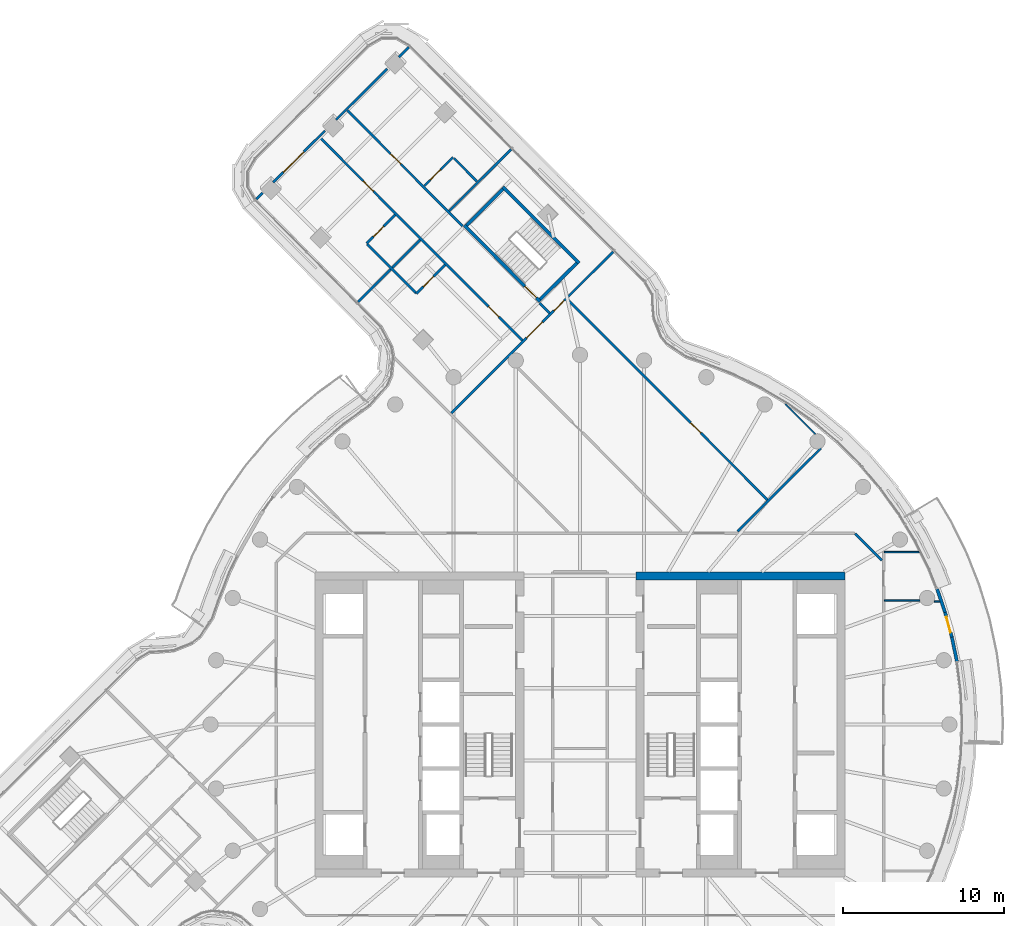
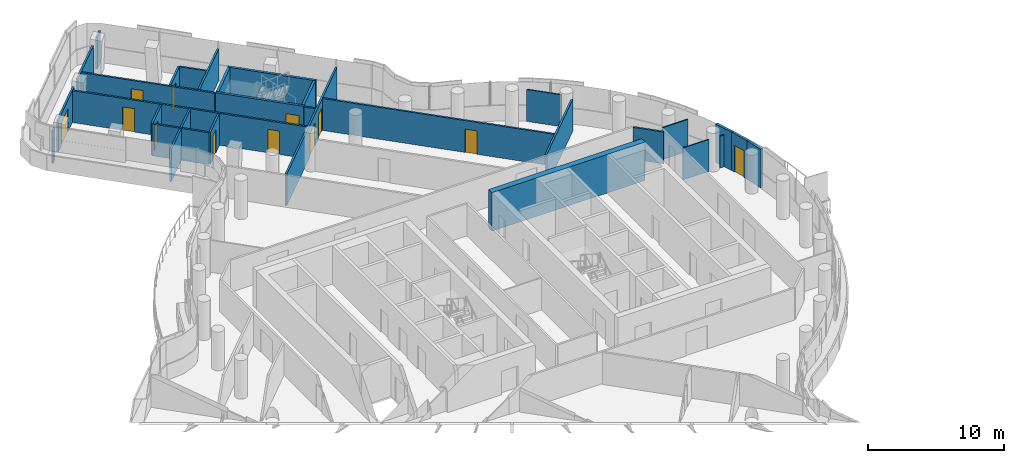
# One storey, part 22 of 31: 30 walls, 12 doors, 12 openings.
"""IFC4 building model written with IfcOpenShell, lengths in metres."""

from ifc_helpers import new_model, si_unit, direction, frame, frame_2d, origin, place, context, subcontext, project, spatial, polyline, rectangle, outline, extrude, material, layer, layer_set, type_object, element, fill, save


model = new_model("IFC4")

# Units and contexts
model_context = context("Model", 3, precision=1e-05, world=origin(), true_north=direction((0.0, 1.0)))
body_context = subcontext(model_context, "Body", "Model", "MODEL_VIEW")
ifc_project = project(units=[si_unit("LENGTHUNIT", "METRE"), si_unit("AREAUNIT", "SQUARE_METRE"), si_unit("VOLUMEUNIT", "CUBIC_METRE"), si_unit("PLANEANGLEUNIT", "RADIAN"), si_unit("MASSUNIT", "GRAM", prefix="KILO")], contexts=[model_context])

# Site, building, storey
site_placement = place(None, origin())
site = spatial("IfcSite", under=ifc_project, at=site_placement, CompositionType="ELEMENT")
building_placement = place(site_placement, origin())
building = spatial("IfcBuilding", under=site, at=building_placement, Name="Tamarind Cross Interchange Tower", CompositionType="ELEMENT")
storey_placement = place(building_placement, frame((0.0, 0.0, 196.89990234375)))
storey = spatial("IfcBuildingStorey", under=building, at=storey_placement, Name="L49", CompositionType="ELEMENT", Elevation=196.89990234375)

# Walls
ifc_material_1 = material(Name="Concrete C40", Category="concrete")
ifc_layer_1 = layer(ifc_material_1, 0.199951171875)
ifc_layer_set_1 = layer_set([ifc_layer_1], Name="Concrete C40")
wall_type_1 = type_object("IfcWallType", Name="Balcony and garden door wall", PredefinedType="SOLIDWALL", material=ifc_layer_set_1)
wall_1_placement = place(storey_placement, frame((23.46728515625, 3.916748046875, 0.0), z_axis=(0.0, 0.0, 1.0), x_axis=(-0.204105774146, 0.978948840829, 0.0)))
element("IfcWall", 1, at=wall_1_placement, inside=storey, type_object=wall_type_1, Name="EXW-L49-02-D07L", PredefinedType="SOLIDWALL", context=body_context, shape_type="SweptSolid", body=[
    extrude(rectangle(XDim=1.544189453125, YDim=0.199951171875, at=frame_2d((0.77197265625, 0.0))), origin(), (0.0, 0.0, 1.0), 3.460205078125),
])
wall_2_placement = place(storey_placement, frame((22.730712890625, 6.970703125, 0.0), z_axis=(0.0, 0.0, 1.0), x_axis=(-0.322722243026, 0.946493715698, 0.0)))
element("IfcWall", 2, at=wall_2_placement, inside=storey, type_object=wall_type_1, Name="EXW-L49-02-D07R", PredefinedType="SOLIDWALL", context=body_context, shape_type="SweptSolid", body=[
    extrude(rectangle(XDim=1.543212890625, YDim=0.199951171875, at=frame_2d((0.771484375, 0.0))), origin(), (0.0, 0.0, 1.0), 3.460205078125),
])

# Wall, opening, door
wall_3_placement = place(storey_placement, frame((23.152099609375, 5.428466796875, 0.0), z_axis=(0.0, 0.0, 1.0), x_axis=(-0.26356961997, 0.964640376217, 0.0)))
wall_3 = element("IfcWall", 3, at=wall_3_placement, inside=storey, type_object=wall_type_1, Name="EXW-L49-02-D07", PredefinedType="SOLIDWALL", context=body_context, shape_type="SweptSolid", body=[
    extrude(rectangle(XDim=1.598876953125, YDim=0.199951171875, at=frame_2d((0.79931640625, 0.0))), origin(), (0.0, 0.0, 1.0), 3.460205078125),
])
opening_1_placement = place(wall_3_placement, frame((0.29931640625, 0.0, 0.0)))
opening_1 = element("IfcOpeningElement", 4, at=opening_1_placement, cuts=wall_3, Name="Opening D2", PredefinedType="OPENING", context=body_context, shape_type="SweptSolid", body=[
    extrude(rectangle(XDim=1.0, YDim=2.39990234375, at=frame_2d((0.5, 1.199951171875))), frame((0.0, 0.10986328125, 0.0), z_axis=(0.0, -1.0, 0.0), x_axis=(1.0, 0.0, 0.0)), (0.0, 0.0, 1.0), 0.219970703125),
])
ifc_material_2 = material(Name="Aluminium and toughened glass", Category="aluminium")
door_type_1 = type_object("IfcDoorType", Name="Balcony and garden door", OperationType="SINGLE_SWING_LEFT", PredefinedType="DOOR", material=ifc_material_2)
door_1_placement = place(opening_1_placement, origin())
door_1 = element("IfcDoor", 5, at=door_1_placement, inside=storey, type_object=door_type_1, Name="DOR-L49-02-07", OperationType="SINGLE_SWING_LEFT", OverallHeight=2.39990234375, OverallWidth=1.0, PredefinedType="DOOR", context=body_context, shape_type="SweptSolid", body=[
    extrude(rectangle(XDim=1.0, YDim=2.39990234375, at=frame_2d((0.5, 1.199951171875))), frame((0.0, 0.02490234375, 0.0), z_axis=(0.0, -1.0, 0.0), x_axis=(1.0, 0.0, 0.0)), (0.0, 0.0, 1.0), 0.050048828125),
])
fill(opening_1, door_1)

# Walls
ifc_material_3 = material(Name="Concrete C55", Category="concrete")
ifc_layer_2 = layer(ifc_material_3, 0.5)
ifc_layer_set_2 = layer_set([ifc_layer_2], Name="Concrete C55")
wall_type_2 = type_object("IfcWallType", Name="Core wall 500 mm Concrete C55", PredefinedType="SHEAR", material=ifc_layer_set_2)
wall_4_placement = place(storey_placement, frame((16.5, 9.25, 0.0), z_axis=(0.0, 0.0, 1.0), x_axis=(-1.0, 0.0, 0.0)))
element("IfcWall", 6, at=wall_4_placement, inside=storey, type_object=wall_type_2, Name="Core wall CWL-L49-E-NE", PredefinedType="SHEAR", context=body_context, shape_type="SweptSolid", body=[
    extrude(rectangle(XDim=13.0, YDim=0.5, at=frame_2d((6.5, 0.0))), origin(), (0.0, 0.0, 1.0), 3.460205078125),
])
ifc_material_4 = material(Name="Gypsum board partition on steel studs", Category="steel")
ifc_layer_3 = layer(ifc_material_4, 0.10009765625)
ifc_layer_set_3 = layer_set([ifc_layer_3], Name="Gypsum board partition on steel studs")
wall_type_3 = type_object("IfcWallType", Name="Partition 100 mm EI 90", PredefinedType="PARTITIONING", material=ifc_layer_set_3)
wall_5_placement = place(storey_placement, frame((12.78125, 19.94775390625, 0.0), z_axis=(0.0, 0.0, 1.0), x_axis=(0.706232077359, -0.707980404326, 0.0)))
element("IfcWall", 7, at=wall_5_placement, inside=storey, type_object=wall_type_3, Name="Partition L49-032", PredefinedType="PARTITIONING", context=body_context, shape_type="SweptSolid", body=[
    extrude(rectangle(XDim=2.6533203125, YDim=0.10009765625, at=frame_2d((1.32666015625, 0.0))), origin(), (0.0, 0.0, 1.0), 2.864013671875),
])
wall_6_placement = place(storey_placement, frame((18.955078125, 7.719970703125, 0.0), z_axis=(0.0, 0.0, 1.0), x_axis=(1.0, 0.0, 0.0)))
element("IfcWall", 8, at=wall_6_placement, inside=storey, type_object=wall_type_3, Name="Partition L49-040", PredefinedType="PARTITIONING", context=body_context, shape_type="SweptSolid", body=[
    extrude(rectangle(XDim=2.212158203125, YDim=0.10009765625, at=frame_2d((1.10595703125, 0.0))), origin(), (0.0, 0.0, 1.0), 2.864013671875),
])
wall_7_placement = place(storey_placement, frame((22.05859375, 7.659912109375, 0.0), z_axis=(0.0, 0.0, 1.0), x_axis=(1.0, 0.0, 0.0)))
element("IfcWall", 9, at=wall_7_placement, inside=storey, type_object=wall_type_3, Name="Partition L49-041", PredefinedType="PARTITIONING", context=body_context, shape_type="SweptSolid", body=[
    extrude(rectangle(XDim=0.340087890625, YDim=0.10009765625, at=frame_2d((0.169921875, 0.0))), origin(), (0.0, 0.0, 1.0), 2.864013671875),
])
wall_8_placement = place(storey_placement, frame((18.955078125, 10.719970703125, 0.0), z_axis=(0.0, 0.0, 1.0), x_axis=(1.0, 0.0, 0.0)))
element("IfcWall", 10, at=wall_8_placement, inside=storey, type_object=wall_type_3, Name="Partition L49-042", PredefinedType="PARTITIONING", context=body_context, shape_type="SweptSolid", body=[
    extrude(rectangle(XDim=2.155029296875, YDim=0.10009765625, at=frame_2d((1.07763671875, 0.0))), origin(), (0.0, 0.0, 1.0), 2.864013671875),
])

# Wall, openings, doors
ifc_layer_4 = layer(ifc_material_4, 0.14990234375)
ifc_layer_set_4 = layer_set([ifc_layer_4], Name="Gypsum board partition on steel studs")
wall_type_4 = type_object("IfcWallType", Name="Partition 150 mm EI 120", PredefinedType="PARTITIONING", material=ifc_layer_set_4)
wall_9_placement = place(storey_placement, frame((-16.1884765625, 36.530517578125, 0.0), z_axis=(0.0, 0.0, 1.0), x_axis=(0.706223553461, -0.707988907071, 0.0)))
wall_9 = element("IfcWall", 11, at=wall_9_placement, inside=storey, type_object=wall_type_4, Name="Partition L49-013", PredefinedType="PARTITIONING", context=body_context, shape_type="SweptSolid", body=[
    extrude(rectangle(XDim=17.840087890625, YDim=0.14990234375, at=frame_2d((8.919921875, 0.0))), origin(), (0.0, 0.0, 1.0), 2.864013671875),
])
opening_2_placement = place(wall_9_placement, frame((14.869873046875, 0.0, 0.0)))
opening_2 = element("IfcOpeningElement", 12, at=opening_2_placement, cuts=wall_9, Name="Opening D06", PredefinedType="OPENING", context=body_context, shape_type="SweptSolid", body=[
    extrude(rectangle(XDim=0.89990234375, YDim=2.10009765625, at=frame_2d((0.449951171875, 1.050048828125))), frame((0.0, 0.0849609375, 0.0), z_axis=(0.0, -1.0, 0.0), x_axis=(1.0, 0.0, 0.0)), (0.0, 0.0, 1.0), 0.169921875),
])
opening_3_placement = place(wall_9_placement, frame((3.820068359375, 0.0, 0.0)))
opening_3 = element("IfcOpeningElement", 13, at=opening_3_placement, cuts=wall_9, Name="Opening D07", PredefinedType="OPENING", context=body_context, shape_type="SweptSolid", body=[
    extrude(rectangle(XDim=0.89990234375, YDim=2.10009765625, at=frame_2d((0.449951171875, 1.050048828125))), frame((0.0, 0.0849609375, 0.0), z_axis=(0.0, -1.0, 0.0), x_axis=(1.0, 0.0, 0.0)), (0.0, 0.0, 1.0), 0.169921875),
])
ifc_material_5 = material(Name="Fire-resisting door set")
door_type_2 = type_object("IfcDoorType", Name="Interior door 900 x 2100 FD60S", OperationType="SINGLE_SWING_LEFT", PredefinedType="DOOR", material=ifc_material_5)
door_2_placement = place(opening_2_placement, frame((0.89990234375, 0.0, 0.0), z_axis=(0.0, 0.0, 1.0), x_axis=(-1.0, 0.0, 0.0)))
door_2 = element("IfcDoor", 14, at=door_2_placement, inside=storey, type_object=door_type_2, Name="Door D06", OperationType="SINGLE_SWING_RIGHT", OverallHeight=2.10009765625, OverallWidth=0.89990234375, PredefinedType="DOOR", context=body_context, shape_type="SweptSolid", body=[
    extrude(rectangle(XDim=0.89990234375, YDim=2.10009765625, at=frame_2d((0.449951171875, 1.050048828125))), frame((0.0, 0.02490234375, 0.0), z_axis=(0.0, -1.0, 0.0), x_axis=(1.0, 0.0, 0.0)), (0.0, 0.0, 1.0), 0.050048828125),
])
fill(opening_2, door_2)
door_3_placement = place(opening_3_placement, frame((0.89990234375, 0.0, 0.0), z_axis=(0.0, 0.0, 1.0), x_axis=(-1.0, 0.0, 0.0)))
door_3 = element("IfcDoor", 15, at=door_3_placement, inside=storey, type_object=door_type_2, Name="Door D07", OperationType="SINGLE_SWING_LEFT", OverallHeight=2.10009765625, OverallWidth=0.89990234375, PredefinedType="DOOR", context=body_context, shape_type="SweptSolid", body=[
    extrude(rectangle(XDim=0.89990234375, YDim=2.10009765625, at=frame_2d((0.449951171875, 1.050048828125))), frame((0.0, 0.02490234375, 0.0), z_axis=(0.0, -1.0, 0.0), x_axis=(1.0, 0.0, 0.0)), (0.0, 0.0, 1.0), 0.050048828125),
])
fill(opening_3, door_3)

# Wall, opening, door
wall_10_placement = place(storey_placement, frame((-14.488525390625, 38.225341796875, 0.0), z_axis=(0.0, 0.0, 1.0), x_axis=(0.706194850957, -0.708017536846, 0.0)))
wall_10 = element("IfcWall", 16, at=wall_10_placement, inside=storey, type_object=wall_type_4, Name="Partition L49-015", PredefinedType="PARTITIONING", context=body_context, shape_type="SweptSolid", body=[
    extrude(rectangle(XDim=10.179931640625, YDim=0.14990234375, at=frame_2d((5.08984375, 0.0))), origin(), (0.0, 0.0, 1.0), 2.864013671875),
])
opening_4_placement = place(wall_10_placement, frame((3.820068359375, 0.0, 0.0)))
opening_4 = element("IfcOpeningElement", 17, at=opening_4_placement, cuts=wall_10, Name="Opening D08", PredefinedType="OPENING", context=body_context, shape_type="SweptSolid", body=[
    extrude(rectangle(XDim=0.89990234375, YDim=2.10009765625, at=frame_2d((0.449951171875, 1.050048828125))), frame((0.0, 0.0849609375, 0.0), z_axis=(0.0, -1.0, 0.0), x_axis=(1.0, 0.0, 0.0)), (0.0, 0.0, 1.0), 0.169921875),
])
door_4_placement = place(opening_4_placement, origin())
door_4 = element("IfcDoor", 18, at=door_4_placement, inside=storey, type_object=door_type_2, Name="Door D08", OperationType="SINGLE_SWING_RIGHT", OverallHeight=2.10009765625, OverallWidth=0.89990234375, PredefinedType="DOOR", context=body_context, shape_type="SweptSolid", body=[
    extrude(rectangle(XDim=0.89990234375, YDim=2.10009765625, at=frame_2d((0.449951171875, 1.050048828125))), frame((0.0, 0.02490234375, 0.0), z_axis=(0.0, -1.0, 0.0), x_axis=(1.0, 0.0, 0.0)), (0.0, 0.0, 1.0), 0.050048828125),
])
fill(opening_4, door_4)

# Walls
wall_11_placement = place(storey_placement, frame((-2.511962890625, 26.2177734375, 0.0), z_axis=(0.0, 0.0, 1.0), x_axis=(0.706135386727, -0.708076843014, 0.0)))
element("IfcWall", 19, at=wall_11_placement, inside=storey, type_object=wall_type_4, Name="Partition L49-016", PredefinedType="PARTITIONING", context=body_context, shape_type="SweptSolid", body=[
    extrude(rectangle(XDim=0.88037109375, YDim=0.14990234375, at=frame_2d((0.440185546875, 0.0))), origin(), (0.0, 0.0, 1.0), 2.864013671875),
])
wall_12_placement = place(storey_placement, frame((-13.2548828125, 29.90869140625, 0.0), z_axis=(0.0, 0.0, 1.0), x_axis=(0.706004027444, -0.708207817829, 0.0)))
element("IfcWall", 20, at=wall_12_placement, inside=storey, type_object=wall_type_4, Name="Partition L49-017", PredefinedType="PARTITIONING", context=body_context, shape_type="SweptSolid", body=[
    extrude(rectangle(XDim=4.320556640625, YDim=0.14990234375, at=frame_2d((2.16015625, 0.0))), origin(), (0.0, 0.0, 1.0), 2.864013671875),
])
wall_13_placement = place(storey_placement, frame((-7.85009765625, 35.2509765625, 0.0), z_axis=(0.0, 0.0, 1.0), x_axis=(0.706151394172, -0.708060879098, 0.0)))
element("IfcWall", 21, at=wall_13_placement, inside=storey, type_object=wall_type_4, Name="Partition L49-020", PredefinedType="PARTITIONING", context=body_context, shape_type="SweptSolid", body=[
    extrude(rectangle(XDim=2.045654296875, YDim=0.14990234375, at=frame_2d((1.02294921875, 0.0))), origin(), (0.0, 0.0, 1.0), 2.864013671875),
])

# Wall, opening, door
wall_14_placement = place(storey_placement, frame((-0.78662109375, 26.470458984375, 0.0), z_axis=(0.0, 0.0, 1.0), x_axis=(0.706206635575, -0.70800578237, 0.0)))
wall_14 = element("IfcWall", 22, at=wall_14_placement, inside=storey, type_object=wall_type_4, Name="Partition L49-024", PredefinedType="PARTITIONING", context=body_context, shape_type="SweptSolid", body=[
    extrude(rectangle(XDim=17.640625, YDim=0.14990234375, at=frame_2d((8.8203125, 0.0))), origin(), (0.0, 0.0, 1.0), 2.864013671875),
])
opening_5_placement = place(wall_14_placement, frame((10.8701171875, 0.0, 0.0)))
opening_5 = element("IfcOpeningElement", 23, at=opening_5_placement, cuts=wall_14, Name="Opening D12", PredefinedType="OPENING", context=body_context, shape_type="SweptSolid", body=[
    extrude(rectangle(XDim=0.89990234375, YDim=2.10009765625, at=frame_2d((0.449951171875, 1.050048828125))), frame((0.0, 0.0849609375, 0.0), z_axis=(0.0, -1.0, 0.0), x_axis=(1.0, 0.0, 0.0)), (0.0, 0.0, 1.0), 0.169921875),
])
door_5_placement = place(opening_5_placement, origin())
door_5 = element("IfcDoor", 24, at=door_5_placement, inside=storey, type_object=door_type_2, Name="Door D12", OperationType="SINGLE_SWING_LEFT", OverallHeight=2.10009765625, OverallWidth=0.89990234375, PredefinedType="DOOR", context=body_context, shape_type="SweptSolid", body=[
    extrude(rectangle(XDim=0.89990234375, YDim=2.10009765625, at=frame_2d((0.449951171875, 1.050048828125))), frame((0.0, 0.02490234375, 0.0), z_axis=(0.0, -1.0, 0.0), x_axis=(1.0, 0.0, 0.0)), (0.0, 0.0, 1.0), 0.050048828125),
])
fill(opening_5, door_5)

# Walls
wall_15_placement = place(storey_placement, frame((17.12841796875, 11.87158203125, 0.0), z_axis=(0.0, 0.0, 1.0), x_axis=(0.707106781187, -0.707106781187, 0.0)))
element("IfcWall", 25, at=wall_15_placement, inside=storey, type_object=wall_type_4, Name="Partition L49-033", PredefinedType="PARTITIONING", context=body_context, shape_type="SweptSolid", body=[
    extrude(rectangle(XDim=2.350341796875, YDim=0.14990234375, at=frame_2d((1.17529296875, 0.0))), origin(), (0.0, 0.0, 1.0), 2.864013671875),
])
wall_16_placement = place(storey_placement, frame((-20.13818359375, 32.703857421875, 0.0), z_axis=(0.0, 0.0, 1.0), x_axis=(0.708002418843, 0.706210007656, 0.0)))
element("IfcWall", 26, at=wall_16_placement, inside=storey, type_object=wall_type_4, Name="Partition L49-051", PredefinedType="PARTITIONING", context=body_context, shape_type="SweptSolid", body=[
    extrude(rectangle(XDim=0.544921875, YDim=0.14990234375, at=frame_2d((0.2724609375, 0.0))), origin(), (0.0, 0.0, 1.0), 2.864013671875),
])

# Wall, opening, door
wall_17_placement = place(storey_placement, frame((-19.102294921875, 33.7373046875, 0.0), z_axis=(0.0, 0.0, 1.0), x_axis=(0.708071454847, 0.706140789667, 0.0)))
wall_17 = element("IfcWall", 27, at=wall_17_placement, inside=storey, type_object=wall_type_4, Name="Partition L49-052", PredefinedType="PARTITIONING", context=body_context, shape_type="SweptSolid", body=[
    extrude(rectangle(XDim=4.55224609375, YDim=0.14990234375, at=frame_2d((2.276123046875, 0.0))), origin(), (0.0, 0.0, 1.0), 2.864013671875),
])
opening_6_placement = place(wall_17_placement, frame((0.89990234375, 0.0, 0.0)))
opening_6 = element("IfcOpeningElement", 28, at=opening_6_placement, cuts=wall_17, Name="Opening D29", PredefinedType="OPENING", context=body_context, shape_type="SweptSolid", body=[
    extrude(rectangle(XDim=1.800048828125, YDim=2.10009765625, at=frame_2d((0.89990234375, 1.050048828125))), frame((0.0, 0.0849609375, 0.0), z_axis=(0.0, -1.0, 0.0), x_axis=(1.0, 0.0, 0.0)), (0.0, 0.0, 1.0), 0.169921875),
])
door_type_3 = type_object("IfcDoorType", Name="Interior door 1800 x 2100 FD60S", OperationType="DOUBLE_DOOR_SINGLE_SWING", PredefinedType="DOOR", material=ifc_material_5)
door_6_placement = place(opening_6_placement, origin())
door_6 = element("IfcDoor", 29, at=door_6_placement, inside=storey, type_object=door_type_3, Name="Door D29", OperationType="DOUBLE_DOOR_SINGLE_SWING", OverallHeight=2.10009765625, OverallWidth=1.800048828125, PredefinedType="DOOR", context=body_context, shape_type="SweptSolid", body=[
    extrude(rectangle(XDim=1.800048828125, YDim=2.10009765625, at=frame_2d((0.89990234375, 1.050048828125))), frame((0.0, 0.02490234375, 0.0), z_axis=(0.0, -1.0, 0.0), x_axis=(1.0, 0.0, 0.0)), (0.0, 0.0, 1.0), 0.050048828125),
])
fill(opening_6, door_6)

# Walls
wall_18_placement = place(storey_placement, frame((-15.187744140625, 37.641357421875, 0.0), z_axis=(0.0, 0.0, 1.0), x_axis=(0.708002487601, 0.706209938722, 0.0)))
element("IfcWall", 30, at=wall_18_placement, inside=storey, type_object=wall_type_4, Name="Partition L49-053", PredefinedType="PARTITIONING", context=body_context, shape_type="SweptSolid", body=[
    extrude(rectangle(XDim=4.49462890625, YDim=0.14990234375, at=frame_2d((2.247314453125, 0.0))), origin(), (0.0, 0.0, 1.0), 2.864013671875),
])
wall_19_placement = place(storey_placement, frame((-11.2734375, 41.545654296875, 0.0), z_axis=(0.0, 0.0, 1.0), x_axis=(0.70794079657, 0.70627178094, 0.0)))
element("IfcWall", 31, at=wall_19_placement, inside=storey, type_object=wall_type_4, Name="Partition L49-054", PredefinedType="PARTITIONING", context=body_context, shape_type="SweptSolid", body=[
    extrude(rectangle(XDim=0.877685546875, YDim=0.14990234375, at=frame_2d((0.43896484375, 0.0))), origin(), (0.0, 0.0, 1.0), 2.864013671875),
])
wall_20_placement = place(storey_placement, frame((-13.80712890625, 26.306884765625, 0.0), z_axis=(0.0, 0.0, 1.0), x_axis=(0.707979130193, 0.706233354644, 0.0)))
element("IfcWall", 32, at=wall_20_placement, inside=storey, type_object=wall_type_4, Name="Partition L49-058", PredefinedType="PARTITIONING", context=body_context, shape_type="SweptSolid", body=[
    extrude(rectangle(XDim=5.4541015625, YDim=0.14990234375, at=frame_2d((2.72705078125, 0.0))), origin(), (0.0, 0.0, 1.0), 2.864013671875),
])
wall_21_placement = place(storey_placement, frame((-8.133544921875, 31.966796875, 0.0), z_axis=(0.0, 0.0, 1.0), x_axis=(0.707939743305, 0.706272836693, 0.0)))
element("IfcWall", 33, at=wall_21_placement, inside=storey, type_object=wall_type_4, Name="Partition L49-059", PredefinedType="PARTITIONING", context=body_context, shape_type="SweptSolid", body=[
    extrude(rectangle(XDim=5.419189453125, YDim=0.14990234375, at=frame_2d((2.70947265625, 0.0))), origin(), (0.0, 0.0, 1.0), 2.864013671875),
])

# Wall, opening, door
wall_22_placement = place(storey_placement, frame((-13.282958984375, 29.93701171875, 0.0), z_axis=(0.0, 0.0, 1.0), x_axis=(0.707881585892, 0.706331126566, 0.0)))
wall_22 = element("IfcWall", 34, at=wall_22_placement, inside=storey, type_object=wall_type_4, Name="Partition L49-060", PredefinedType="PARTITIONING", context=body_context, shape_type="SweptSolid", body=[
    extrude(rectangle(XDim=2.51953125, YDim=0.14990234375, at=frame_2d((1.259765625, 0.0))), origin(), (0.0, 0.0, 1.0), 2.864013671875),
])
opening_7_placement = place(wall_22_placement, frame((0.60009765625, 0.0, 0.0)))
opening_7 = element("IfcOpeningElement", 35, at=opening_7_placement, cuts=wall_22, Name="Opening D30", PredefinedType="OPENING", context=body_context, shape_type="SweptSolid", body=[
    extrude(rectangle(XDim=0.89990234375, YDim=2.10009765625, at=frame_2d((0.449951171875, 1.050048828125))), frame((0.0, 0.0849609375, 0.0), z_axis=(0.0, -1.0, 0.0), x_axis=(1.0, 0.0, 0.0)), (0.0, 0.0, 1.0), 0.169921875),
])
door_7_placement = place(opening_7_placement, frame((0.89990234375, 0.0, 0.0), z_axis=(0.0, 0.0, 1.0), x_axis=(-1.0, 0.0, 0.0)))
door_7 = element("IfcDoor", 36, at=door_7_placement, inside=storey, type_object=door_type_2, Name="Door D30", OperationType="SINGLE_SWING_LEFT", OverallHeight=2.10009765625, OverallWidth=0.89990234375, PredefinedType="DOOR", context=body_context, shape_type="SweptSolid", body=[
    extrude(rectangle(XDim=0.89990234375, YDim=2.10009765625, at=frame_2d((0.449951171875, 1.050048828125))), frame((0.0, 0.02490234375, 0.0), z_axis=(0.0, -1.0, 0.0), x_axis=(1.0, 0.0, 0.0)), (0.0, 0.0, 1.0), 0.050048828125),
])
fill(opening_7, door_7)

wall_23_placement = place(storey_placement, frame((-9.68701171875, 33.525146484375, 0.0), z_axis=(0.0, 0.0, 1.0), x_axis=(0.707833235302, 0.706379579972, 0.0)))
wall_23 = element("IfcWall", 37, at=wall_23_placement, inside=storey, type_object=wall_type_4, Name="Partition L49-061", PredefinedType="PARTITIONING", context=body_context, shape_type="SweptSolid", body=[
    extrude(rectangle(XDim=2.519287109375, YDim=0.14990234375, at=frame_2d((1.259765625, 0.0))), origin(), (0.0, 0.0, 1.0), 2.864013671875),
])
opening_8_placement = place(wall_23_placement, frame((0.52001953125, 0.0, 0.0)))
opening_8 = element("IfcOpeningElement", 38, at=opening_8_placement, cuts=wall_23, Name="Opening D31", PredefinedType="OPENING", context=body_context, shape_type="SweptSolid", body=[
    extrude(rectangle(XDim=0.89990234375, YDim=2.10009765625, at=frame_2d((0.449951171875, 1.050048828125))), frame((0.0, 0.0849609375, 0.0), z_axis=(0.0, -1.0, 0.0), x_axis=(1.0, 0.0, 0.0)), (0.0, 0.0, 1.0), 0.169921875),
])
door_8_placement = place(opening_8_placement, frame((0.89990234375, 0.0, 0.0), z_axis=(0.0, 0.0, 1.0), x_axis=(-1.0, 0.0, 0.0)))
door_8 = element("IfcDoor", 39, at=door_8_placement, inside=storey, type_object=door_type_2, Name="Door D31", OperationType="SINGLE_SWING_LEFT", OverallHeight=2.10009765625, OverallWidth=0.89990234375, PredefinedType="DOOR", context=body_context, shape_type="SweptSolid", body=[
    extrude(rectangle(XDim=0.89990234375, YDim=2.10009765625, at=frame_2d((0.449951171875, 1.050048828125))), frame((0.0, 0.02490234375, 0.0), z_axis=(0.0, -1.0, 0.0), x_axis=(1.0, 0.0, 0.0)), (0.0, 0.0, 1.0), 0.050048828125),
])
fill(opening_8, door_8)

wall_24_placement = place(storey_placement, frame((-10.176025390625, 26.821044921875, 0.0), z_axis=(0.0, 0.0, 1.0), x_axis=(0.707881161632, 0.706331551756, 0.0)))
wall_24 = element("IfcWall", 40, at=wall_24_placement, inside=storey, type_object=wall_type_4, Name="Partition L49-062", PredefinedType="PARTITIONING", context=body_context, shape_type="SweptSolid", body=[
    extrude(rectangle(XDim=2.520751953125, YDim=0.14990234375, at=frame_2d((1.26025390625, 0.0))), origin(), (0.0, 0.0, 1.0), 2.864013671875),
])
opening_9_placement = place(wall_24_placement, frame((0.60009765625, 0.0, 0.0)))
opening_9 = element("IfcOpeningElement", 41, at=opening_9_placement, cuts=wall_24, Name="Opening D32", PredefinedType="OPENING", context=body_context, shape_type="SweptSolid", body=[
    extrude(rectangle(XDim=0.89990234375, YDim=2.10009765625, at=frame_2d((0.449951171875, 1.050048828125))), frame((0.0, 0.0849609375, 0.0), z_axis=(0.0, -1.0, 0.0), x_axis=(1.0, 0.0, 0.0)), (0.0, 0.0, 1.0), 0.169921875),
])
door_9_placement = place(opening_9_placement, origin())
door_9 = element("IfcDoor", 42, at=door_9_placement, inside=storey, type_object=door_type_2, Name="Door D32", OperationType="SINGLE_SWING_RIGHT", OverallHeight=2.10009765625, OverallWidth=0.89990234375, PredefinedType="DOOR", context=body_context, shape_type="SweptSolid", body=[
    extrude(rectangle(XDim=0.89990234375, YDim=2.10009765625, at=frame_2d((0.449951171875, 1.050048828125))), frame((0.0, 0.02490234375, 0.0), z_axis=(0.0, -1.0, 0.0), x_axis=(1.0, 0.0, 0.0)), (0.0, 0.0, 1.0), 0.050048828125),
])
fill(opening_9, door_9)

# Wall, openings, doors
wall_25_placement = place(storey_placement, frame((-8.00732421875, 19.37939453125, 0.0), z_axis=(0.0, 0.0, 1.0), x_axis=(0.708007635029, 0.706204778192, 0.0)))
wall_25 = element("IfcWall", 43, at=wall_25_placement, inside=storey, type_object=wall_type_4, Name="Partition L49-063", PredefinedType="PARTITIONING", context=body_context, shape_type="SweptSolid", body=[
    extrude(rectangle(XDim=14.218994140625, YDim=0.14990234375, at=frame_2d((7.109375, 0.0))), origin(), (0.0, 0.0, 1.0), 2.864013671875),
])
opening_10_placement = place(wall_25_placement, frame((6.6201171875, 0.0, 0.0)))
opening_10 = element("IfcOpeningElement", 44, at=opening_10_placement, cuts=wall_25, Name="Opening D33", PredefinedType="OPENING", context=body_context, shape_type="SweptSolid", body=[
    extrude(rectangle(XDim=1.39990234375, YDim=2.10009765625, at=frame_2d((0.699951171875, 1.050048828125))), frame((0.0, 0.0849609375, 0.0), z_axis=(0.0, -1.0, 0.0), x_axis=(1.0, 0.0, 0.0)), (0.0, 0.0, 1.0), 0.169921875),
])
opening_11_placement = place(wall_25_placement, frame((9.02001953125, 0.0, 0.0)))
opening_11 = element("IfcOpeningElement", 45, at=opening_11_placement, cuts=wall_25, Name="Opening D34", PredefinedType="OPENING", context=body_context, shape_type="SweptSolid", body=[
    extrude(rectangle(XDim=0.89990234375, YDim=2.10009765625, at=frame_2d((0.449951171875, 1.050048828125))), frame((0.0, 0.0849609375, 0.0), z_axis=(0.0, -1.0, 0.0), x_axis=(1.0, 0.0, 0.0)), (0.0, 0.0, 1.0), 0.169921875),
])
door_type_4 = type_object("IfcDoorType", Name="Interior door 1400 x 2100 FD60S", OperationType="DOUBLE_DOOR_SINGLE_SWING", PredefinedType="DOOR", material=ifc_material_5)
door_10_placement = place(opening_10_placement, frame((1.39990234375, 0.0, 0.0), z_axis=(0.0, 0.0, 1.0), x_axis=(-1.0, 0.0, 0.0)))
door_10 = element("IfcDoor", 46, at=door_10_placement, inside=storey, type_object=door_type_4, Name="Door D33", OperationType="DOUBLE_DOOR_SINGLE_SWING", OverallHeight=2.10009765625, OverallWidth=1.39990234375, PredefinedType="DOOR", context=body_context, shape_type="SweptSolid", body=[
    extrude(rectangle(XDim=1.39990234375, YDim=2.10009765625, at=frame_2d((0.699951171875, 1.050048828125))), frame((0.0, 0.02490234375, 0.0), z_axis=(0.0, -1.0, 0.0), x_axis=(1.0, 0.0, 0.0)), (0.0, 0.0, 1.0), 0.050048828125),
])
fill(opening_10, door_10)
door_11_placement = place(opening_11_placement, origin())
door_11 = element("IfcDoor", 47, at=door_11_placement, inside=storey, type_object=door_type_2, Name="Door D34", OperationType="SINGLE_SWING_LEFT", OverallHeight=2.10009765625, OverallWidth=0.89990234375, PredefinedType="DOOR", context=body_context, shape_type="SweptSolid", body=[
    extrude(rectangle(XDim=0.89990234375, YDim=2.10009765625, at=frame_2d((0.449951171875, 1.050048828125))), frame((0.0, 0.02490234375, 0.0), z_axis=(0.0, -1.0, 0.0), x_axis=(1.0, 0.0, 0.0)), (0.0, 0.0, 1.0), 0.050048828125),
])
fill(opening_11, door_11)

# Wall
wall_26_placement = place(storey_placement, frame((9.807861328125, 12.009521484375, 0.0), z_axis=(0.0, 0.0, 1.0), x_axis=(0.708153372922, 0.706058638088, 0.0)))
element("IfcWall", 48, at=wall_26_placement, inside=storey, type_object=wall_type_4, Name="Partition L49-075", PredefinedType="PARTITIONING", context=body_context, shape_type="SweptSolid", body=[
    extrude(rectangle(XDim=7.342529296875, YDim=0.14990234375, at=frame_2d((3.67138671875, 0.0))), origin(), (0.0, 0.0, 1.0), 2.864013671875),
])

# Wall, opening, door
ifc_layer_5 = layer(ifc_material_1, 0.199951171875)
ifc_layer_set_5 = layer_set([ifc_layer_5], Name="Concrete C40")
wall_type_5 = type_object("IfcWallType", Name="Stair shaft wall 200 mm Concrete C40", PredefinedType="SHEAR", material=ifc_layer_set_5)
wall_27_placement = place(storey_placement, frame((-2.46923828125, 26.31640625, -0.139892578125), z_axis=(0.0, 0.0, 1.0), x_axis=(-0.706195256835, 0.708017132013, 0.0)))
wall_27 = element("IfcWall", 49, at=wall_27_placement, inside=storey, type_object=wall_type_5, Name="Core wall CWL-L49-ST4-H", PredefinedType="SHEAR", context=body_context, shape_type="SweptSolid", body=[
    extrude(rectangle(XDim=6.7001953125, YDim=0.199951171875, at=frame_2d((3.35009765625, 0.0))), origin(), (0.0, 0.0, 1.0), 3.00390625),
])
opening_12_placement = place(wall_27_placement, frame((0.35009765625, 0.0, 0.0)))
opening_12 = element("IfcOpeningElement", 50, at=opening_12_placement, cuts=wall_27, Name="Opening ST4L49", PredefinedType="OPENING", context=body_context, shape_type="SweptSolid", body=[
    extrude(rectangle(XDim=1.0, YDim=2.10009765625, at=frame_2d((0.5, 1.050048828125))), frame((0.0, 0.10986328125, 0.0), z_axis=(0.0, -1.0, 0.0), x_axis=(1.0, 0.0, 0.0)), (0.0, 0.0, 1.0), 0.219970703125),
])
ifc_material_6 = material(Name="Steel, fire-resisting", Category="steel")
door_type_5 = type_object("IfcDoorType", Name="Core fire door 1000 x 2100 FD90", OperationType="SINGLE_SWING_LEFT", PredefinedType="DOOR", material=ifc_material_6)
door_12_placement = place(opening_12_placement, origin())
door_12 = element("IfcDoor", 51, at=door_12_placement, inside=storey, type_object=door_type_5, Name="L49 stair door ST4", OperationType="SINGLE_SWING_LEFT", OverallHeight=2.10009765625, OverallWidth=1.0, PredefinedType="DOOR", context=body_context, shape_type="SweptSolid", body=[
    extrude(rectangle(XDim=1.0, YDim=2.10009765625, at=frame_2d((0.5, 1.050048828125))), frame((0.0, 0.02490234375, 0.0), z_axis=(0.0, -1.0, 0.0), x_axis=(1.0, 0.0, 0.0)), (0.0, 0.0, 1.0), 0.050048828125),
])
fill(opening_12, door_12)

# Walls
wall_28_placement = place(storey_placement, frame((-0.06201171875, 28.717529296875, -0.139892578125), z_axis=(0.0, 0.0, 1.0), x_axis=(-0.706213475762, 0.707998959499, 0.0)))
element("IfcWall", 52, at=wall_28_placement, inside=storey, type_object=wall_type_5, Name="Core wall CWL-L49-ST4-C", PredefinedType="SHEAR", context=body_context, shape_type="SweptSolid", body=[
    extrude(rectangle(XDim=6.7001953125, YDim=0.199951171875, at=frame_2d((3.35009765625, 0.0))), origin(), (0.0, 0.0, 1.0), 3.00390625),
])
wall_29_placement = place(storey_placement, frame((-0.20361328125, 28.7177734375, -0.139892578125), z_axis=(0.0, 0.0, 1.0), x_axis=(-0.707983681798, -0.706228791758, 0.0)))
element("IfcWall", 53, at=wall_29_placement, inside=storey, type_object=wall_type_5, Name="Core wall CWL-L49-ST4-CE", PredefinedType="SHEAR", context=body_context, shape_type="SweptSolid", body=[
    extrude(rectangle(XDim=3.19970703125, YDim=0.199951171875, at=frame_2d((1.599853515625, 0.0))), origin(), (0.0, 0.0, 1.0), 3.00390625),
])
wall_30_placement = place(storey_placement, frame((0.0, 0.0, -0.139892578125)))
element("IfcWall", 54, at=wall_30_placement, inside=storey, type_object=wall_type_5, Name="Core wall CWL-L49-ST4-CF", PredefinedType="SHEAR", context=body_context, shape_type="SweptSolid", body=[
    extrude(outline(polyline([(-4.72314453125, 33.2490234375), (-4.864501953125, 33.390625), (-7.130126953125, 31.130859375), (-6.98876953125, 30.9892578125), (-4.72314453125, 33.2490234375)])), origin(), (0.0, 0.0, 1.0), 3.00390625),
])

save(model, "model.ifc")
